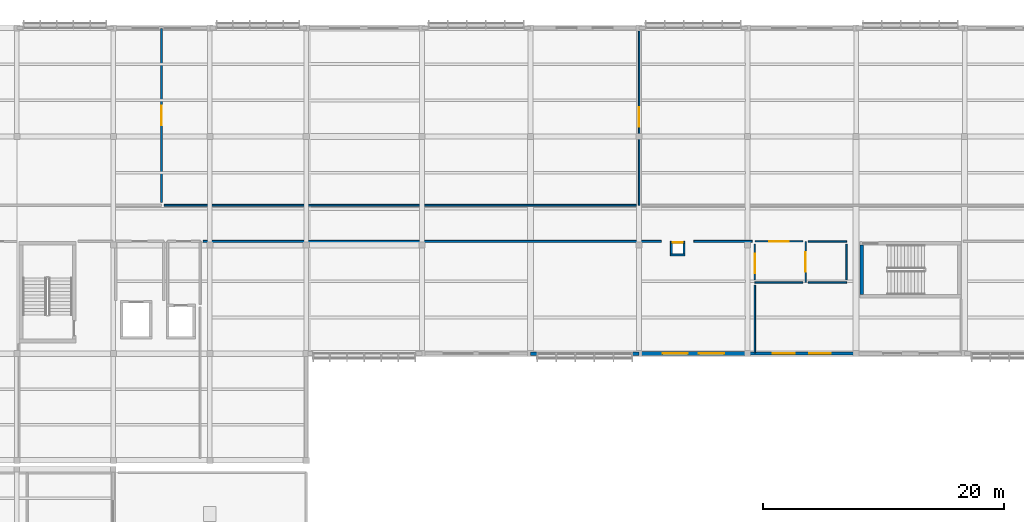
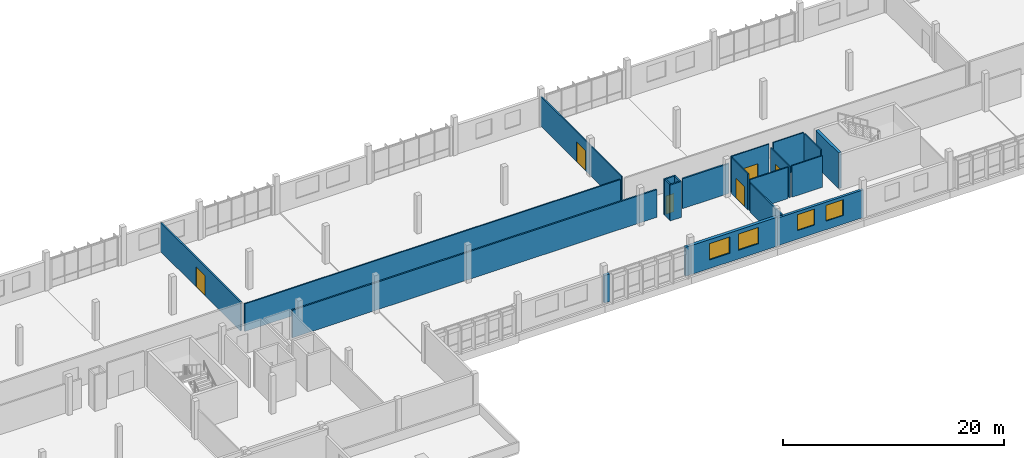
# One storey, part 94 of 107: 22 walls, 6 doors, 4 windows, 10 openings.
"""IFC4 building model written with IfcOpenShell, lengths in metres."""

from ifc_helpers import new_model, si_unit, direction, frame, frame_2d, origin, place, context, subcontext, project, spatial, rectangle, extrude, material, layer, layer_set, type_object, element, fill, save


model = new_model("IFC4")

# Units and contexts
model_context = context("Model", 3, precision=1e-05, world=origin(), true_north=direction((0.0, 1.0)))
body_context = subcontext(model_context, "Body", "Model", "MODEL_VIEW")
ifc_project = project(units=[si_unit("LENGTHUNIT", "METRE"), si_unit("AREAUNIT", "SQUARE_METRE"), si_unit("VOLUMEUNIT", "CUBIC_METRE"), si_unit("PLANEANGLEUNIT", "RADIAN"), si_unit("MASSUNIT", "GRAM", prefix="KILO")], contexts=[model_context])

# Site, building, storey
site_placement = place(None, origin())
site = spatial("IfcSite", under=ifc_project, at=site_placement, CompositionType="ELEMENT")
building_placement = place(site_placement, origin())
building = spatial("IfcBuilding", under=site, at=building_placement, Name="Chiffa Square Polytechnic", CompositionType="ELEMENT")
storey_placement = place(building_placement, frame((0.0, 0.0, 13.800048828125)))
storey = spatial("IfcBuildingStorey", under=building, at=storey_placement, Name="L03", CompositionType="ELEMENT", Elevation=13.800048828125)

# Wall
ifc_material_1 = material(Name="Concrete C40/50", Category="concrete")
ifc_layer_1 = layer(ifc_material_1, 0.300048828125, Name="Concrete C40/50")
ifc_layer_set_1 = layer_set([ifc_layer_1], Name="Concrete C40/50")
wall_type_1 = type_object("IfcWallType", Name="WL-CORE-300", PredefinedType="SHEAR", material=ifc_layer_set_1)
wall_1_placement = place(storey_placement, frame((94.050048828125, 108.699951171875, 0.0), z_axis=(0.0, 0.0, 1.0), x_axis=(0.0, 1.0, 0.0)))
element("IfcWall", 1, at=wall_1_placement, inside=storey, type_object=wall_type_1, Name="Core or enclosure wall WC-CORE-V5B-L03-WEST", PredefinedType="SHEAR", context=body_context, shape_type="SweptSolid", body=[
    extrude(rectangle(XDim=4.10009765625, YDim=0.300048828125, at=frame_2d((2.050048828125, 0.0))), origin(), (0.0, 0.0, 1.0), 3.9599609375),
])

# Wall, openings, windows
ifc_material_2 = material(Name="Precast concrete C40/50", Category="concrete")
ifc_layer_2 = layer(ifc_material_2, 0.260009765625, Name="Precast concrete C40/50")
ifc_layer_set_2 = layer_set([ifc_layer_2], Name="Precast concrete C40/50")
wall_type_2 = type_object("IfcWallType", Name="WL-EXT-PC260", PredefinedType="SOLIDWALL", material=ifc_layer_set_2)
wall_2_placement = place(storey_placement, frame((84.60009765625, 103.800048828125, 0.0), z_axis=(0.0, 0.0, 1.0), x_axis=(1.0, 0.0, 0.0)))
wall_2 = element("IfcWall", 2, at=wall_2_placement, inside=storey, type_object=wall_type_2, Name="Exterior wall WE-V5-L03-0334", PredefinedType="SOLIDWALL", context=body_context, shape_type="SweptSolid", body=[
    extrude(rectangle(XDim=9.0, YDim=0.260009765625, at=frame_2d((4.5, 0.0))), origin(), (0.0, 0.0, 1.0), 3.044921875),
])
opening_1_placement = place(wall_2_placement, frame((2.10009765625, 0.0, 0.949951171875)))
opening_1 = element("IfcOpeningElement", 3, at=opening_1_placement, cuts=wall_2, Name="Opening W-05", PredefinedType="OPENING", context=body_context, shape_type="SweptSolid", body=[
    extrude(rectangle(XDim=1.800048828125, YDim=1.75, at=frame_2d((0.89990234375, 0.875))), frame((0.0, 0.14013671875, 0.0), z_axis=(0.0, -1.0, 0.0), x_axis=(1.0, 0.0, 0.0)), (0.0, 0.0, 1.0), 0.280029296875),
])
opening_2_placement = place(wall_2_placement, frame((5.10009765625, 0.0, 0.949951171875)))
opening_2 = element("IfcOpeningElement", 4, at=opening_2_placement, cuts=wall_2, Name="Opening W-05", PredefinedType="OPENING", context=body_context, shape_type="SweptSolid", body=[
    extrude(rectangle(XDim=1.800048828125, YDim=1.75, at=frame_2d((0.89990234375, 0.875))), frame((0.0, 0.14013671875, 0.0), z_axis=(0.0, -1.0, 0.0), x_axis=(1.0, 0.0, 0.0)), (0.0, 0.0, 1.0), 0.280029296875),
])
ifc_material_3 = material(Name="Double glazing in thermally broken aluminium frame", Category="aluminium")
window_type_1 = type_object("IfcWindowType", Name="WIN-LAB-1800X1750", PartitioningType="DOUBLE_PANEL_VERTICAL", PredefinedType="WINDOW", material=ifc_material_3)
window_1_placement = place(opening_1_placement, origin())
window_1 = element("IfcWindow", 5, at=window_1_placement, inside=storey, type_object=window_type_1, Name="Facade window WN-L03-0228", OverallHeight=1.75, OverallWidth=1.800048828125, PartitioningType="DOUBLE_PANEL_VERTICAL", PredefinedType="WINDOW", context=body_context, shape_type="SweptSolid", body=[
    extrude(rectangle(XDim=1.800048828125, YDim=1.75, at=frame_2d((0.89990234375, 0.875))), frame((0.0, 0.030029296875, 0.0), z_axis=(0.0, -1.0, 0.0), x_axis=(1.0, 0.0, 0.0)), (0.0, 0.0, 1.0), 0.06005859375),
])
fill(opening_1, window_1)
window_2_placement = place(opening_2_placement, origin())
window_2 = element("IfcWindow", 6, at=window_2_placement, inside=storey, type_object=window_type_1, Name="Facade window WN-L03-0229", OverallHeight=1.75, OverallWidth=1.800048828125, PartitioningType="DOUBLE_PANEL_VERTICAL", PredefinedType="WINDOW", context=body_context, shape_type="SweptSolid", body=[
    extrude(rectangle(XDim=1.800048828125, YDim=1.75, at=frame_2d((0.89990234375, 0.875))), frame((0.0, 0.030029296875, 0.0), z_axis=(0.0, -1.0, 0.0), x_axis=(1.0, 0.0, 0.0)), (0.0, 0.0, 1.0), 0.06005859375),
])
fill(opening_2, window_2)

# Walls
ifc_layer_3 = layer(ifc_material_2, 0.280029296875, Name="Precast concrete C40/50")
ifc_layer_set_3 = layer_set([ifc_layer_3], Name="Precast concrete C40/50")
wall_type_3 = type_object("IfcWallType", Name="WL-EXT-PC280", PredefinedType="SOLIDWALL", material=ifc_layer_set_3)
wall_3_placement = place(storey_placement, frame((66.60009765625, 103.800048828125, 0.0), z_axis=(0.0, 0.0, 1.0), x_axis=(1.0, 0.0, 0.0)))
element("IfcWall", 7, at=wall_3_placement, inside=storey, type_object=wall_type_3, Name="Facade column pier V5-L03-0332L", PredefinedType="SOLIDWALL", context=body_context, shape_type="SweptSolid", body=[
    extrude(rectangle(XDim=0.539794921875, YDim=0.280029296875, at=frame_2d((0.27001953125, 0.0))), origin(), (0.0, 0.0, 1.0), 3.044921875),
])
wall_4_placement = place(storey_placement, frame((75.06005859375, 103.800048828125, 0.0), z_axis=(0.0, 0.0, 1.0), x_axis=(1.0, 0.0, 0.0)))
element("IfcWall", 8, at=wall_4_placement, inside=storey, type_object=wall_type_3, Name="Facade column pier V5-L03-0332R", PredefinedType="SOLIDWALL", context=body_context, shape_type="SweptSolid", body=[
    extrude(rectangle(XDim=0.5400390625, YDim=0.280029296875, at=frame_2d((0.27001953125, 0.0))), origin(), (0.0, 0.0, 1.0), 3.195068359375),
])

# Wall, openings, windows
ifc_layer_4 = layer(ifc_material_2, 0.320068359375, Name="Precast concrete C40/50")
ifc_layer_set_4 = layer_set([ifc_layer_4], Name="Precast concrete C40/50")
wall_type_4 = type_object("IfcWallType", Name="WL-EXT-PC320", PredefinedType="SOLIDWALL", material=ifc_layer_set_4)
wall_5_placement = place(storey_placement, frame((75.60009765625, 103.800048828125, 0.0), z_axis=(0.0, 0.0, 1.0), x_axis=(1.0, 0.0, 0.0)))
wall_5 = element("IfcWall", 9, at=wall_5_placement, inside=storey, type_object=wall_type_4, Name="Exterior wall WE-V5-L03-0333", PredefinedType="SOLIDWALL", context=body_context, shape_type="SweptSolid", body=[
    extrude(rectangle(XDim=9.0, YDim=0.320068359375, at=frame_2d((4.5, 0.0))), origin(), (0.0, 0.0, 1.0), 3.195068359375),
])
opening_3_placement = place(wall_5_placement, frame((1.949951171875, 0.0, 0.949951171875)))
opening_3 = element("IfcOpeningElement", 10, at=opening_3_placement, cuts=wall_5, Name="Opening W-03", PredefinedType="OPENING", context=body_context, shape_type="SweptSolid", body=[
    extrude(rectangle(XDim=2.10009765625, YDim=1.800048828125, at=frame_2d((1.050048828125, 0.89990234375))), frame((0.0, 0.169921875, 0.0), z_axis=(0.0, -1.0, 0.0), x_axis=(1.0, 0.0, 0.0)), (0.0, 0.0, 1.0), 0.340087890625),
])
opening_4_placement = place(wall_5_placement, frame((4.949951171875, 0.0, 0.949951171875)))
opening_4 = element("IfcOpeningElement", 11, at=opening_4_placement, cuts=wall_5, Name="Opening W-03", PredefinedType="OPENING", context=body_context, shape_type="SweptSolid", body=[
    extrude(rectangle(XDim=2.10009765625, YDim=1.800048828125, at=frame_2d((1.050048828125, 0.89990234375))), frame((0.0, 0.169921875, 0.0), z_axis=(0.0, -1.0, 0.0), x_axis=(1.0, 0.0, 0.0)), (0.0, 0.0, 1.0), 0.340087890625),
])
window_type_2 = type_object("IfcWindowType", Name="WIN-LAB-2100X1800", PartitioningType="DOUBLE_PANEL_VERTICAL", PredefinedType="WINDOW", material=ifc_material_3)
window_3_placement = place(opening_3_placement, origin())
window_3 = element("IfcWindow", 12, at=window_3_placement, inside=storey, type_object=window_type_2, Name="Facade window WN-L03-0226", OverallHeight=1.800048828125, OverallWidth=2.10009765625, PartitioningType="DOUBLE_PANEL_VERTICAL", PredefinedType="WINDOW", context=body_context, shape_type="SweptSolid", body=[
    extrude(rectangle(XDim=2.10009765625, YDim=1.800048828125, at=frame_2d((1.050048828125, 0.89990234375))), frame((0.0, 0.030029296875, 0.0), z_axis=(0.0, -1.0, 0.0), x_axis=(1.0, 0.0, 0.0)), (0.0, 0.0, 1.0), 0.06005859375),
])
fill(opening_3, window_3)
window_4_placement = place(opening_4_placement, origin())
window_4 = element("IfcWindow", 13, at=window_4_placement, inside=storey, type_object=window_type_2, Name="Facade window WN-L03-0227", OverallHeight=1.800048828125, OverallWidth=2.10009765625, PartitioningType="DOUBLE_PANEL_VERTICAL", PredefinedType="WINDOW", context=body_context, shape_type="SweptSolid", body=[
    extrude(rectangle(XDim=2.10009765625, YDim=1.800048828125, at=frame_2d((1.050048828125, 0.89990234375))), frame((0.0, 0.030029296875, 0.0), z_axis=(0.0, -1.0, 0.0), x_axis=(1.0, 0.0, 0.0)), (0.0, 0.0, 1.0), 0.06005859375),
])
fill(opening_4, window_4)

# Wall, opening, door
ifc_material_4 = material(Name="Gypsum board on steel stud", Category="steel")
ifc_layer_5 = layer(ifc_material_4, 0.125, Name="Gypsum board on steel stud")
ifc_layer_set_5 = layer_set([ifc_layer_5], Name="Gypsum board on steel stud")
wall_type_5 = type_object("IfcWallType", Name="WL-PART-125", PredefinedType="PARTITIONING", material=ifc_layer_set_5)
wall_6_placement = place(storey_placement, frame((75.60009765625, 116.10009765625, 0.0), z_axis=(0.0, 0.0, 1.0), x_axis=(0.0, 1.0, 0.0)))
wall_6 = element("IfcWall", 14, at=wall_6_placement, inside=storey, type_object=wall_type_5, Name="Interior partition WP-V5-L03-0584", PredefinedType="PARTITIONING", context=body_context, shape_type="SweptSolid", body=[
    extrude(rectangle(XDim=14.64501953125, YDim=0.125, at=frame_2d((7.322509765625, 0.0))), origin(), (0.0, 0.0, 1.0), 3.294921875),
])
opening_5_placement = place(wall_6_placement, frame((6.52294921875, 0.0, 0.0)))
opening_5 = element("IfcOpeningElement", 15, at=opening_5_placement, cuts=wall_6, Name="Opening DI-L03-212", PredefinedType="OPENING", context=body_context, shape_type="SweptSolid", body=[
    extrude(rectangle(XDim=1.60009765625, YDim=2.199951171875, at=frame_2d((0.800048828125, 1.10009765625))), frame((0.0, 0.072509765625, 0.0), z_axis=(0.0, -1.0, 0.0), x_axis=(1.0, 0.0, 0.0)), (0.0, 0.0, 1.0), 0.14501953125),
])
ifc_material_5 = material(Name="Vision-panel timber laboratory door", Category="wood")
door_type_1 = type_object("IfcDoorType", Name="DR-LAB-DBL-1600", OperationType="DOUBLE_DOOR_SINGLE_SWING", PredefinedType="DOOR", material=ifc_material_5)
door_1_placement = place(opening_5_placement, origin())
door_1 = element("IfcDoor", 16, at=door_1_placement, inside=storey, type_object=door_type_1, Name="Interior room door DI-L03-212", OperationType="DOUBLE_DOOR_SINGLE_SWING", OverallHeight=2.199951171875, OverallWidth=1.60009765625, PredefinedType="DOOR", context=body_context, shape_type="SweptSolid", body=[
    extrude(rectangle(XDim=1.60009765625, YDim=2.199951171875, at=frame_2d((0.800048828125, 1.10009765625))), frame((0.0, 0.02490234375, 0.0), z_axis=(0.0, -1.0, 0.0), x_axis=(1.0, 0.0, 0.0)), (0.0, 0.0, 1.0), 0.050048828125),
])
fill(opening_5, door_1)

# Walls
ifc_layer_6 = layer(ifc_material_4, 0.135009765625, Name="Gypsum board on steel stud")
ifc_layer_set_6 = layer_set([ifc_layer_6], Name="Gypsum board on steel stud")
wall_type_6 = type_object("IfcWallType", Name="WL-PART-135", PredefinedType="PARTITIONING", material=ifc_layer_set_6)
wall_7_placement = place(storey_placement, frame((85.199951171875, 103.85498046875, 0.0), z_axis=(0.0, 0.0, 1.0), x_axis=(0.0, 1.0, 0.0)))
element("IfcWall", 17, at=wall_7_placement, inside=storey, type_object=wall_type_6, Name="Interior partition WP-V5-L03-0580", PredefinedType="PARTITIONING", context=body_context, shape_type="SweptSolid", body=[
    extrude(rectangle(XDim=5.625, YDim=0.135009765625, at=frame_2d((2.8125, 0.0))), origin(), (0.0, 0.0, 1.0), 3.195068359375),
])
wall_8_placement = place(storey_placement, frame((36.219970703125, 116.10009765625, 0.0), z_axis=(0.0, 0.0, 1.0), x_axis=(1.0, 0.0, 0.0)))
element("IfcWall", 18, at=wall_8_placement, inside=storey, type_object=wall_type_6, Name="Interior partition WP-V5-L03-0586", PredefinedType="PARTITIONING", context=body_context, shape_type="SweptSolid", body=[
    extrude(rectangle(XDim=39.159912109375, YDim=0.135009765625, at=frame_2d((19.580078125, 0.0))), origin(), (0.0, 0.0, 1.0), 3.044921875),
])
ifc_material_6 = material(Name="Gypsum board on acoustic steel stud", Category="steel")
ifc_layer_7 = layer(ifc_material_6, 0.159912109375, Name="Gypsum board on acoustic steel stud")
ifc_layer_set_7 = layer_set([ifc_layer_7], Name="Gypsum board on acoustic steel stud")
wall_type_7 = type_object("IfcWallType", Name="WL-PART-EI60-160", PredefinedType="PARTITIONING", material=ifc_layer_set_7)
wall_9_placement = place(storey_placement, frame((78.199951171875, 111.97998046875, 0.0), z_axis=(0.0, 0.0, 1.0), x_axis=(1.0, 0.0, 0.0)))
element("IfcWall", 19, at=wall_9_placement, inside=storey, type_object=wall_type_7, Name="Core or enclosure wall WP-RSR-V5-M-L03-SOUTH", PredefinedType="PARTITIONING", context=body_context, shape_type="SweptSolid", body=[
    extrude(rectangle(XDim=1.199951171875, YDim=0.159912109375, at=frame_2d((0.60009765625, 0.0))), origin(), (0.0, 0.0, 1.0), 3.9599609375),
])

# Wall, opening, door
wall_10_placement = place(storey_placement, frame((78.199951171875, 113.02001953125, 0.0), z_axis=(0.0, 0.0, 1.0), x_axis=(1.0, 0.0, 0.0)))
wall_10 = element("IfcWall", 20, at=wall_10_placement, inside=storey, type_object=wall_type_7, Name="Core or enclosure wall WP-RSR-V5-M-L03-NORTH", PredefinedType="PARTITIONING", context=body_context, shape_type="SweptSolid", body=[
    extrude(rectangle(XDim=1.199951171875, YDim=0.159912109375, at=frame_2d((0.60009765625, 0.0))), origin(), (0.0, 0.0, 1.0), 3.9599609375),
])
opening_6_placement = place(wall_10_placement, frame((0.175048828125, 0.0, 0.0)))
opening_6 = element("IfcOpeningElement", 21, at=opening_6_placement, cuts=wall_10, Name="Opening DI-L03-R11", PredefinedType="OPENING", context=body_context, shape_type="SweptSolid", body=[
    extrude(rectangle(XDim=0.85009765625, YDim=2.02001953125, at=frame_2d((0.425048828125, 1.010009765625))), frame((0.0, 0.08984375, 0.0), z_axis=(0.0, -1.0, 0.0), x_axis=(1.0, 0.0, 0.0)), (0.0, 0.0, 1.0), 0.179931640625),
])
ifc_material_7 = material(Name="Fire-rated steel riser access door", Category="steel")
door_type_2 = type_object("IfcDoorType", Name="DR-RISER-850", OperationType="NOTDEFINED", PredefinedType="DOOR", material=ifc_material_7)
door_2_placement = place(opening_6_placement, origin())
door_2 = element("IfcDoor", 22, at=door_2_placement, inside=storey, type_object=door_type_2, Name="Enclosure door DI-L03-R11", OperationType="SINGLE_SWING_LEFT", OverallHeight=2.02001953125, OverallWidth=0.85009765625, PredefinedType="DOOR", context=body_context, shape_type="SweptSolid", body=[
    extrude(rectangle(XDim=0.85009765625, YDim=2.02001953125, at=frame_2d((0.425048828125, 1.010009765625))), frame((0.0, 0.02490234375, 0.0), z_axis=(0.0, -1.0, 0.0), x_axis=(1.0, 0.0, 0.0)), (0.0, 0.0, 1.0), 0.050048828125),
])
fill(opening_6, door_2)

# Walls
for number, where, z_axis, x_axis, name in (
    (23, (78.280029296875, 112.06005859375, 0.0), (0.0, 0.0, 1.0), (0.0, 1.0, 0.0), "Core or enclosure wall WP-RSR-V5-M-L03-WEST"),
    (24, (79.320068359375, 112.06005859375, 0.0), (0.0, 0.0, 1.0), (0.0, 1.0, 0.0), "Core or enclosure wall WP-RSR-V5-M-L03-EAST"),
):
    element("IfcWall", number, at=place(storey_placement, frame(where, z_axis=z_axis, x_axis=x_axis)), inside=storey, type_object=wall_type_7, Name=name, PredefinedType="PARTITIONING", context=body_context, shape_type="SweptSolid", body=[
        extrude(rectangle(XDim=0.8798828125, YDim=0.159912109375, at=frame_2d((0.43994140625, 0.0))), origin(), (0.0, 0.0, 1.0), 3.9599609375),
    ])
wall_11_placement = place(storey_placement, frame((80.14599609375, 113.10009765625, 0.0), z_axis=(0.0, 0.0, 1.0), x_axis=(1.0, 0.0, 0.0)))
element("IfcWall", 25, at=wall_11_placement, inside=storey, type_object=wall_type_7, Name="Interior partition WP-V5-L03-0568", PredefinedType="PARTITIONING", context=body_context, shape_type="SweptSolid", body=[
    extrude(rectangle(XDim=4.833984375, YDim=0.159912109375, at=frame_2d((2.4169921875, 0.0))), origin(), (0.0, 0.0, 1.0), 3.294921875),
])
wall_12_placement = place(storey_placement, frame((39.43994140625, 113.10009765625, 0.0), z_axis=(0.0, 0.0, 1.0), x_axis=(1.0, 0.0, 0.0)))
element("IfcWall", 26, at=wall_12_placement, inside=storey, type_object=wall_type_7, Name="Interior partition WP-V5-L03-0569", PredefinedType="PARTITIONING", context=body_context, shape_type="SweptSolid", body=[
    extrude(rectangle(XDim=38.01416015625, YDim=0.159912109375, at=frame_2d((19.007080078125, 0.0))), origin(), (0.0, 0.0, 1.0), 3.044921875),
])

# Wall, opening, door
wall_13_placement = place(storey_placement, frame((36.0, 116.320068359375, 0.0), z_axis=(0.0, 0.0, 1.0), x_axis=(0.0, 1.0, 0.0)))
wall_13 = element("IfcWall", 27, at=wall_13_placement, inside=storey, type_object=wall_type_7, Name="Interior partition WP-V5-L03-0583", PredefinedType="PARTITIONING", context=body_context, shape_type="SweptSolid", body=[
    extrude(rectangle(XDim=14.425048828125, YDim=0.159912109375, at=frame_2d((7.21240234375, 0.0))), origin(), (0.0, 0.0, 1.0), 3.195068359375),
])
opening_7_placement = place(wall_13_placement, frame((6.4130859375, 0.0, 0.0)))
opening_7 = element("IfcOpeningElement", 28, at=opening_7_placement, cuts=wall_13, Name="Opening DI-L03-211", PredefinedType="OPENING", context=body_context, shape_type="SweptSolid", body=[
    extrude(rectangle(XDim=1.60009765625, YDim=2.199951171875, at=frame_2d((0.800048828125, 1.10009765625))), frame((0.0, 0.08984375, 0.0), z_axis=(0.0, -1.0, 0.0), x_axis=(1.0, 0.0, 0.0)), (0.0, 0.0, 1.0), 0.179931640625),
])
door_3_placement = place(opening_7_placement, origin())
door_3 = element("IfcDoor", 29, at=door_3_placement, inside=storey, type_object=door_type_1, Name="Interior room door DI-L03-211", OperationType="DOUBLE_DOOR_SINGLE_SWING", OverallHeight=2.199951171875, OverallWidth=1.60009765625, PredefinedType="DOOR", context=body_context, shape_type="SweptSolid", body=[
    extrude(rectangle(XDim=1.60009765625, YDim=2.199951171875, at=frame_2d((0.800048828125, 1.10009765625))), frame((0.0, 0.02490234375, 0.0), z_axis=(0.0, -1.0, 0.0), x_axis=(1.0, 0.0, 0.0)), (0.0, 0.0, 1.0), 0.050048828125),
])
fill(opening_7, door_3)

ifc_material_8 = material(Name="Moisture-resistant board partition")
ifc_layer_8 = layer(ifc_material_8, 0.1201171875, Name="Moisture-resistant board partition")
ifc_layer_set_8 = layer_set([ifc_layer_8], Name="Moisture-resistant board partition")
wall_type_8 = type_object("IfcWallType", Name="WL-PART-WC-120", PredefinedType="PARTITIONING", material=ifc_layer_set_8)
wall_14_placement = place(storey_placement, frame((89.39990234375, 109.699951171875, 0.0), z_axis=(0.0, 0.0, 1.0), x_axis=(0.0, 1.0, 0.0)))
wall_14 = element("IfcWall", 30, at=wall_14_placement, inside=storey, type_object=wall_type_8, Name="Interior partition WP-V5-L03-0508", PredefinedType="PARTITIONING", context=body_context, shape_type="SweptSolid", body=[
    extrude(rectangle(XDim=3.400146484375, YDim=0.1201171875, at=frame_2d((1.7001953125, 0.0))), origin(), (0.0, 0.0, 1.0), 3.46484375),
])
opening_8_placement = place(wall_14_placement, frame((0.89990234375, 0.0, 0.0)))
opening_8 = element("IfcOpeningElement", 31, at=opening_8_placement, cuts=wall_14, Name="Opening DI-L03-189", PredefinedType="OPENING", context=body_context, shape_type="SweptSolid", body=[
    extrude(rectangle(XDim=1.60009765625, YDim=2.199951171875, at=frame_2d((0.800048828125, 1.10009765625))), frame((0.0, 0.070068359375, 0.0), z_axis=(0.0, -1.0, 0.0), x_axis=(1.0, 0.0, 0.0)), (0.0, 0.0, 1.0), 0.14013671875),
])
door_4_placement = place(opening_8_placement, origin())
door_4 = element("IfcDoor", 32, at=door_4_placement, inside=storey, type_object=door_type_1, Name="Interior room door DI-L03-189", OperationType="DOUBLE_DOOR_SINGLE_SWING", OverallHeight=2.199951171875, OverallWidth=1.60009765625, PredefinedType="DOOR", context=body_context, shape_type="SweptSolid", body=[
    extrude(rectangle(XDim=1.60009765625, YDim=2.199951171875, at=frame_2d((0.800048828125, 1.10009765625))), frame((0.0, 0.02490234375, 0.0), z_axis=(0.0, -1.0, 0.0), x_axis=(1.0, 0.0, 0.0)), (0.0, 0.0, 1.0), 0.050048828125),
])
fill(opening_8, door_4)

# Walls
wall_15_placement = place(storey_placement, frame((89.6201171875, 109.699951171875, 0.0), z_axis=(0.0, 0.0, 1.0), x_axis=(1.0, 0.0, 0.0)))
element("IfcWall", 33, at=wall_15_placement, inside=storey, type_object=wall_type_8, Name="Interior partition WP-V5-L03-0509", PredefinedType="PARTITIONING", context=body_context, shape_type="SweptSolid", body=[
    extrude(rectangle(XDim=3.179931640625, YDim=0.1201171875, at=frame_2d((1.58984375, 0.0))), origin(), (0.0, 0.0, 1.0), 3.46484375),
])
wall_16_placement = place(storey_placement, frame((89.6201171875, 113.10009765625, 0.0), z_axis=(0.0, 0.0, 1.0), x_axis=(1.0, 0.0, 0.0)))
element("IfcWall", 34, at=wall_16_placement, inside=storey, type_object=wall_type_8, Name="Interior partition WP-V5-L03-0510", PredefinedType="PARTITIONING", context=body_context, shape_type="SweptSolid", body=[
    extrude(rectangle(XDim=3.179931640625, YDim=0.1201171875, at=frame_2d((1.58984375, 0.0))), origin(), (0.0, 0.0, 1.0), 3.9599609375),
])
wall_17_placement = place(storey_placement, frame((92.800048828125, 109.919921875, 0.0), z_axis=(0.0, 0.0, 1.0), x_axis=(0.0, 1.0, 0.0)))
element("IfcWall", 35, at=wall_17_placement, inside=storey, type_object=wall_type_8, Name="Interior partition WP-V5-L03-0511", PredefinedType="PARTITIONING", context=body_context, shape_type="SweptSolid", body=[
    extrude(rectangle(XDim=2.9599609375, YDim=0.1201171875, at=frame_2d((1.47998046875, 0.0))), origin(), (0.0, 0.0, 1.0), 3.9599609375),
])

# Wall, opening, door
wall_18_placement = place(storey_placement, frame((85.199951171875, 113.10009765625, 0.0), z_axis=(0.0, 0.0, 1.0), x_axis=(1.0, 0.0, 0.0)))
wall_18 = element("IfcWall", 36, at=wall_18_placement, inside=storey, type_object=wall_type_8, Name="Interior partition WP-V5-L03-0515", PredefinedType="PARTITIONING", context=body_context, shape_type="SweptSolid", body=[
    extrude(rectangle(XDim=3.97998046875, YDim=0.1201171875, at=frame_2d((1.989990234375, 0.0))), origin(), (0.0, 0.0, 1.0), 3.9599609375),
])
opening_9_placement = place(wall_18_placement, frame((1.18994140625, 0.0, 0.0)))
opening_9 = element("IfcOpeningElement", 37, at=opening_9_placement, cuts=wall_18, Name="Opening DI-L03-191", PredefinedType="OPENING", context=body_context, shape_type="SweptSolid", body=[
    extrude(rectangle(XDim=1.60009765625, YDim=2.199951171875, at=frame_2d((0.800048828125, 1.10009765625))), frame((0.0, 0.070068359375, 0.0), z_axis=(0.0, -1.0, 0.0), x_axis=(1.0, 0.0, 0.0)), (0.0, 0.0, 1.0), 0.14013671875),
])
door_5_placement = place(opening_9_placement, origin())
door_5 = element("IfcDoor", 38, at=door_5_placement, inside=storey, type_object=door_type_1, Name="Interior room door DI-L03-191", OperationType="DOUBLE_DOOR_SINGLE_SWING", OverallHeight=2.199951171875, OverallWidth=1.60009765625, PredefinedType="DOOR", context=body_context, shape_type="SweptSolid", body=[
    extrude(rectangle(XDim=1.60009765625, YDim=2.199951171875, at=frame_2d((0.800048828125, 1.10009765625))), frame((0.0, 0.02490234375, 0.0), z_axis=(0.0, -1.0, 0.0), x_axis=(1.0, 0.0, 0.0)), (0.0, 0.0, 1.0), 0.050048828125),
])
fill(opening_9, door_5)

# Wall
wall_19_placement = place(storey_placement, frame((85.199951171875, 109.699951171875, 0.0), z_axis=(0.0, 0.0, 1.0), x_axis=(1.0, 0.0, 0.0)))
element("IfcWall", 39, at=wall_19_placement, inside=storey, type_object=wall_type_8, Name="Interior partition WP-V5-L03-0516", PredefinedType="PARTITIONING", context=body_context, shape_type="SweptSolid", body=[
    extrude(rectangle(XDim=3.97998046875, YDim=0.1201171875, at=frame_2d((1.989990234375, 0.0))), origin(), (0.0, 0.0, 1.0), 3.46484375),
])

# Wall, opening, door
wall_20_placement = place(storey_placement, frame((85.199951171875, 109.919921875, 0.0), z_axis=(0.0, 0.0, 1.0), x_axis=(0.0, 1.0, 0.0)))
wall_20 = element("IfcWall", 40, at=wall_20_placement, inside=storey, type_object=wall_type_8, Name="Interior partition WP-V5-L03-0517", PredefinedType="PARTITIONING", context=body_context, shape_type="SweptSolid", body=[
    extrude(rectangle(XDim=2.9599609375, YDim=0.1201171875, at=frame_2d((1.47998046875, 0.0))), origin(), (0.0, 0.0, 1.0), 3.9599609375),
])
opening_10_placement = place(wall_20_placement, frame((0.551025390625, 0.0, 0.0)))
opening_10 = element("IfcOpeningElement", 41, at=opening_10_placement, cuts=wall_20, Name="Opening DI-L03-192", PredefinedType="OPENING", context=body_context, shape_type="SweptSolid", body=[
    extrude(rectangle(XDim=1.60009765625, YDim=2.199951171875, at=frame_2d((0.800048828125, 1.10009765625))), frame((0.0, 0.070068359375, 0.0), z_axis=(0.0, -1.0, 0.0), x_axis=(1.0, 0.0, 0.0)), (0.0, 0.0, 1.0), 0.14013671875),
])
door_6_placement = place(opening_10_placement, origin())
door_6 = element("IfcDoor", 42, at=door_6_placement, inside=storey, type_object=door_type_1, Name="Interior room door DI-L03-192", OperationType="DOUBLE_DOOR_SINGLE_SWING", OverallHeight=2.199951171875, OverallWidth=1.60009765625, PredefinedType="DOOR", context=body_context, shape_type="SweptSolid", body=[
    extrude(rectangle(XDim=1.60009765625, YDim=2.199951171875, at=frame_2d((0.800048828125, 1.10009765625))), frame((0.0, 0.02490234375, 0.0), z_axis=(0.0, -1.0, 0.0), x_axis=(1.0, 0.0, 0.0)), (0.0, 0.0, 1.0), 0.050048828125),
])
fill(opening_10, door_6)

save(model, "model.ifc")
